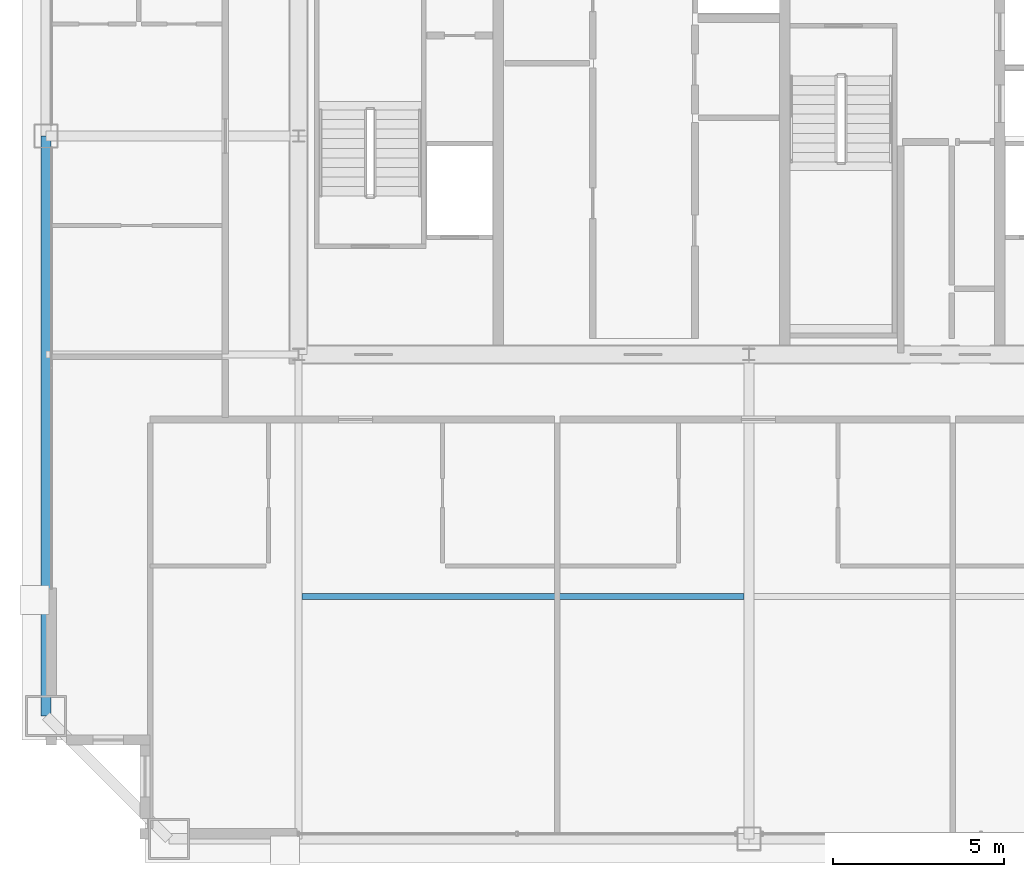
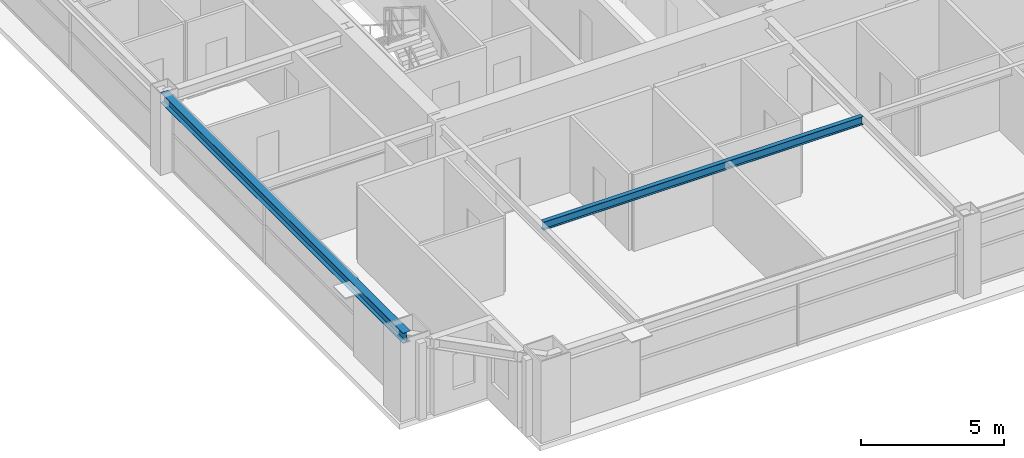
# One storey, part 7 of 37: 2 beams.
"""IFC4 building model written with IfcOpenShell, lengths in metres."""

import ifcopenshell
import ifcopenshell.guid

model = None  # the IFC model being written
_history = None  # IfcOwnerHistory: only IFC2X3 demands one
_inside = {}  # id of a spatial element -> (the spatial element, [elements in it])
_under = {}  # id of a project, library or spatial element -> (it, [spatial elements below it])
_declared = {}  # id of a project -> (the project, [libraries it declares])
_typed = {}  # id of a type object -> (the type object, [elements of that type])
_made_of = {}  # id of a material, layer set ... -> (it, [elements and type objects made of it])


def new_model(schema):
    """Start an empty IFC model of exactly this schema.

    Asked for "IFC4X3", IfcOpenShell would pick the latest addendum, in which some entities
    have other attributes; the version numbers below select the first issue.
    IFC2X3 requires an IfcOwnerHistory on every rooted entity: one is made here for all.
    """
    global model, _history
    if schema == "IFC4X3":
        model = ifcopenshell.file(schema_version=(4, 3, 0, 0))
    else:
        model = ifcopenshell.file(schema=schema)
    _inside.clear()
    _under.clear()
    _declared.clear()
    _typed.clear()
    _made_of.clear()
    _history = None
    if model.schema == "IFC2X3":
        org = make("IfcOrganization", Name="unknown")
        user = make(
            "IfcPersonAndOrganization",
            ThePerson=make("IfcPerson", FamilyName="unknown"),
            TheOrganization=org,
        )
        app = make(
            "IfcApplication",
            ApplicationDeveloper=org,
            Version="unknown",
            ApplicationFullName="unknown",
            ApplicationIdentifier="unknown",
        )
        _history = make(
            "IfcOwnerHistory",
            OwningUser=user,
            OwningApplication=app,
            ChangeAction="ADDED",
            CreationDate=0,
        )
    return model


def make(cls, **values):
    """One entity of the class cls with the attributes given. An attribute that is None is left unset."""
    return model.create_entity(
        cls, **{name: value for name, value in values.items() if value is not None}
    )


def rooted(cls, **values):
    """An entity with a GlobalId (a new one), such as an element, a storey or a relation."""
    return make(cls, GlobalId=ifcopenshell.guid.new(), OwnerHistory=_history, **values)


def si_unit(unit_type, name, prefix=None):
    """IfcSIUnit, for example si_unit("LENGTHUNIT", "METRE", prefix="MILLI")."""
    return make("IfcSIUnit", UnitType=unit_type, Prefix=prefix, Name=name)


def assignment(units):
    """IfcUnitAssignment: the units of a project."""
    return None if units is None else make("IfcUnitAssignment", Units=units)


def point(xyz):
    """IfcCartesianPoint."""
    return None if xyz is None else make("IfcCartesianPoint", Coordinates=xyz)


def direction(xyz):
    """IfcDirection."""
    return None if xyz is None else make("IfcDirection", DirectionRatios=xyz)


def frame(location, z_axis=None, x_axis=None):
    """IfcAxis2Placement3D, a coordinate frame: its origin and axes. An axis left out is left unset."""
    return make(
        "IfcAxis2Placement3D",
        Location=point(location),
        Axis=direction(z_axis),
        RefDirection=direction(x_axis),
    )


def frame_2d(location, x_axis=None):
    """IfcAxis2Placement2D, a coordinate frame in the plane: its origin and x axis."""
    return make(
        "IfcAxis2Placement2D", Location=point(location), RefDirection=direction(x_axis)
    )


def origin():
    """The frame at (0, 0, 0) with its axes left unset."""
    return frame((0.0, 0.0, 0.0))


def origin_2d():
    """The frame at (0, 0) in the plane with its x axis left unset."""
    return frame_2d((0.0, 0.0))


def place(relative_to, where):
    """IfcLocalPlacement: puts the frame where relative to a parent placement (None: the world)."""
    return make(
        "IfcLocalPlacement", PlacementRelTo=relative_to, RelativePlacement=where
    )


def context(
    kind, dimensions, precision=None, world=None, true_north=None, identifier=None
):
    """IfcGeometricRepresentationContext, for example the 3D "Model" context."""
    return make(
        "IfcGeometricRepresentationContext",
        ContextIdentifier=identifier,
        ContextType=kind,
        CoordinateSpaceDimension=dimensions,
        Precision=precision,
        WorldCoordinateSystem=world,
        TrueNorth=true_north,
    )


def subcontext(parent, identifier, kind, view, scale=None):
    """IfcGeometricRepresentationSubContext, for example "Body" below "Model"."""
    return make(
        "IfcGeometricRepresentationSubContext",
        ContextIdentifier=identifier,
        ContextType=kind,
        ParentContext=parent,
        TargetScale=scale,
        TargetView=view,
    )


def project(units=None, contexts=None):
    """IfcProject with its units and contexts."""
    return rooted(
        "IfcProject",
        Name="project",
        RepresentationContexts=contexts,
        UnitsInContext=assignment(units),
    )


def spatial(cls, under=None, at=None, **own):
    """A site, building, storey or space (cls), placed at a placement, below another one or the project."""
    s = rooted(cls, ObjectPlacement=at, **own)
    if under is not None:
        _under.setdefault(under.id(), (under, []))[1].append(s)
    return s


def profile(cls, at=None, kind="AREA", **sizes):
    """A parametric profile (cls). Its sizes go by their IFC names, for example OverallWidth=200.0."""
    return make(cls, ProfileType=kind, Position=at, **sizes)


def i_section(**sizes):
    """IfcIShapeProfileDef."""
    return profile("IfcIShapeProfileDef", **sizes)


def extrude(swept, where, along, depth):
    """IfcExtrudedAreaSolid: the profile swept, set in the frame where, extruded along a direction by depth."""
    return make(
        "IfcExtrudedAreaSolid",
        SweptArea=swept,
        Position=where,
        ExtrudedDirection=direction(along),
        Depth=depth,
    )


def shape(context_of_items, identifier, shape_type, items):
    """IfcShapeRepresentation: the items that make up one representation, for example the "Body"."""
    return make(
        "IfcShapeRepresentation",
        ContextOfItems=context_of_items,
        RepresentationIdentifier=identifier,
        RepresentationType=shape_type,
        Items=items,
    )


def source(mapping_origin, context_of_items, identifier, shape_type, items):
    """IfcRepresentationMap: a shape defined once, which mapped items show again and again."""
    return make(
        "IfcRepresentationMap",
        MappingOrigin=mapping_origin,
        MappedRepresentation=shape(context_of_items, identifier, shape_type, items),
    )


def transform(
    local_origin,
    x_axis=None,
    y_axis=None,
    z_axis=None,
    scale=None,
    scale2=None,
    scale3=None,
    uniform=True,
):
    """IfcCartesianTransformationOperator3D, or its non-uniform kind. x_axis, y_axis, z_axis: its Axis1, 2, 3."""
    if uniform:
        return make(
            "IfcCartesianTransformationOperator3D",
            Axis1=direction(x_axis),
            Axis2=direction(y_axis),
            LocalOrigin=point(local_origin),
            Scale=scale,
            Axis3=direction(z_axis),
        )
    return make(
        "IfcCartesianTransformationOperator3DnonUniform",
        Axis1=direction(x_axis),
        Axis2=direction(y_axis),
        LocalOrigin=point(local_origin),
        Scale=scale,
        Axis3=direction(z_axis),
        Scale2=scale2,
        Scale3=scale3,
    )


def mapped(mapping_source, mapping_target):
    """IfcMappedItem: shows the shape of a source again, moved by a transform."""
    return make(
        "IfcMappedItem", MappingSource=mapping_source, MappingTarget=mapping_target
    )


def material(Name=None, Category=None):
    """IfcMaterial."""
    return make("IfcMaterial", Name=Name, Category=Category)


def material_profile(
    of_material, cross_section, Name=None, Category=None, Priority=None
):
    """IfcMaterialProfile: a cross section and its material."""
    return make(
        "IfcMaterialProfile",
        Name=Name,
        Material=of_material,
        Profile=cross_section,
        Priority=Priority,
        Category=Category,
    )


def profile_set(profiles, Name=None, composite=None):
    """IfcMaterialProfileSet."""
    return make(
        "IfcMaterialProfileSet",
        Name=Name,
        MaterialProfiles=profiles,
        CompositeProfile=composite,
    )


def made_of(thing, what):
    """Note that an element or type object is made of a material, layer set ...; save() writes the relation."""
    if what is not None:
        _made_of.setdefault(what.id(), (what, []))[1].append(thing)
    return thing


def type_object(cls, material=None, **own):
    """A type object (cls), such as IfcWallType, which elements share."""
    return made_of(rooted(cls, **own), material)


def element(
    cls,
    number,
    at=None,
    inside=None,
    cuts=None,
    type_object=None,
    material=None,
    context=None,
    identifier="Body",
    shape_type=None,
    held_by="IfcProductDefinitionShape",
    body=None,
    shapes=None,
    **own,
):
    """One element of the class cls, such as IfcWall. Its Tag is "e" and its number.

    at: its placement. inside: the storey or other place that contains it. cuts: it is an
    opening in that element (IfcRelVoidsElement). A single representation is given by context,
    identifier, shape_type and body (its items); several are given by shapes. held_by: the class
    of the entity that holds the representations. save() writes the other relations.
    """
    e = rooted(cls, Tag="e%d" % number, ObjectPlacement=at, **own)
    if body is not None:
        shapes = [shape(context, identifier, shape_type, body)]
    if shapes is not None:
        e.Representation = make(held_by, Representations=shapes)
    if inside is not None:
        _inside.setdefault(inside.id(), (inside, []))[1].append(e)
    if cuts is not None:
        rooted(
            "IfcRelVoidsElement", RelatingBuildingElement=cuts, RelatedOpeningElement=e
        )
    if type_object is not None:
        _typed.setdefault(type_object.id(), (type_object, []))[1].append(e)
    return made_of(e, material)


def aggregate(whole, parts):
    """IfcRelAggregates: a whole, such as a stair, and the parts it consists of."""
    return rooted("IfcRelAggregates", RelatingObject=whole, RelatedObjects=parts)


def save(model, path):
    """Write the relations noted so far, then the file.

    IfcRelAggregates (storeys below a building ...), IfcRelContainedInSpatialStructure (elements
    in a storey), IfcRelDefinesByType, IfcRelAssociatesMaterial and IfcRelDeclares: one each for
    every whole, place, type object, material and project.
    """
    for whole, parts in _under.values():
        aggregate(whole, parts)
    for where, things in _inside.values():
        rooted(
            "IfcRelContainedInSpatialStructure",
            RelatedElements=things,
            RelatingStructure=where,
        )
    for kind, things in _typed.values():
        rooted("IfcRelDefinesByType", RelatedObjects=things, RelatingType=kind)
    for what, things in _made_of.values():
        rooted("IfcRelAssociatesMaterial", RelatedObjects=things, RelatingMaterial=what)
    for by, libraries in _declared.values():
        rooted("IfcRelDeclares", RelatingContext=by, RelatedDefinitions=libraries)
    model.write(path)


model = new_model("IFC4")

# Units and contexts
model_context = context("Model", 3, precision=1e-05, world=origin(), true_north=direction((0.0, 1.0)))
body_context = subcontext(model_context, "Body", "Model", "MODEL_VIEW")
ifc_project = project(units=[si_unit("LENGTHUNIT", "METRE"), si_unit("AREAUNIT", "SQUARE_METRE"), si_unit("VOLUMEUNIT", "CUBIC_METRE"), si_unit("PLANEANGLEUNIT", "RADIAN"), si_unit("MASSUNIT", "GRAM", prefix="KILO"), si_unit("THERMODYNAMICTEMPERATUREUNIT", "KELVIN"), si_unit("POWERUNIT", "WATT")], contexts=[model_context])

# Site, building, storey
site_placement = place(None, origin())
site = spatial("IfcSite", under=ifc_project, at=site_placement, CompositionType="ELEMENT")
building_placement = place(site_placement, origin())
building = spatial("IfcBuilding", under=site, at=building_placement, Name="Yuzanri Waterfront Tower", CompositionType="ELEMENT")
storey_placement = place(building_placement, frame((0.0, 0.0, 268.10009765625)))
storey = spatial("IfcBuildingStorey", under=building, at=storey_placement, Name="L71", CompositionType="ELEMENT", Elevation=268.10009765625)

# Beams
ifc_material_1 = material(Name="Steel Q355B", Category="steel")
ifc_material_profile_1 = material_profile(ifc_material_1, i_section(OverallWidth=0.300048828125, OverallDepth=0.43994140625, WebThickness=0.010986328125, FlangeThickness=0.01806640625, at=origin_2d()), Name="HM 440x300x11x18")
ifc_profile_set_1 = profile_set([ifc_material_profile_1], Name="Steel Q355B")
beam_type_1 = type_object("IfcBeamType", Name="Perimeter Spandrel Q355B HM 440x300", PredefinedType="SPANDREL", material=ifc_profile_set_1)
shared_shape_1 = source(origin(), body_context, "Body", "SweptSolid", [
    extrude(i_section(OverallWidth=0.300048828125, OverallDepth=0.43994140625, WebThickness=0.010986328125, FlangeThickness=0.01806640625, at=origin_2d()), origin(), (0.0, 0.0, 1.0), 17.0),
])
beam_1_placement = place(storey_placement, frame((16.39990234375, 25.800048828125, 3.059814453125), z_axis=(0.0, -1.0, 0.0), x_axis=(1.0, 0.0, 0.0)))
element("IfcBeam", 1, at=beam_1_placement, inside=storey, type_object=beam_type_1, Name="L71 Perimeter Spandrel W2-W1", PredefinedType="SPANDREL", context=body_context, shape_type="MappedRepresentation", body=[
    mapped(shared_shape_1, transform((0.0, 0.0, 0.0), scale=1.0)),
])
ifc_material_2 = material(Name="Steel Q355B", Category="steel")
ifc_material_profile_2 = material_profile(ifc_material_2, i_section(OverallWidth=0.175048828125, OverallDepth=0.35009765625, WebThickness=0.007080078125, FlangeThickness=0.010986328125, at=origin_2d()), Name="HN 350x175x7x11")
ifc_profile_set_2 = profile_set([ifc_material_profile_2], Name="Steel Q355B")
beam_type_2 = type_object("IfcBeamType", Name="Floor Joist Q355B HN 350x175", PredefinedType="JOIST", material=ifc_profile_set_2)
shared_shape_2 = source(origin(), body_context, "Body", "SweptSolid", [
    extrude(i_section(OverallWidth=0.175048828125, OverallDepth=0.35009765625, WebThickness=0.007080078125, FlangeThickness=0.010986328125, at=origin_2d()), origin(), (0.0, 0.0, 1.0), 12.9501953125),
])
beam_2_placement = place(storey_placement, frame((23.89990234375, 12.300048828125, 3.10498046875), z_axis=(1.0, 0.0, 0.0), x_axis=(0.0, 1.0, 0.0)))
element("IfcBeam", 2, at=beam_2_placement, inside=storey, type_object=beam_type_2, Name="L71 South Bay Joist W", PredefinedType="JOIST", context=body_context, shape_type="MappedRepresentation", body=[
    mapped(shared_shape_2, transform((0.0, 0.0, 0.0), scale=1.0)),
])

save(model, "model.ifc")
